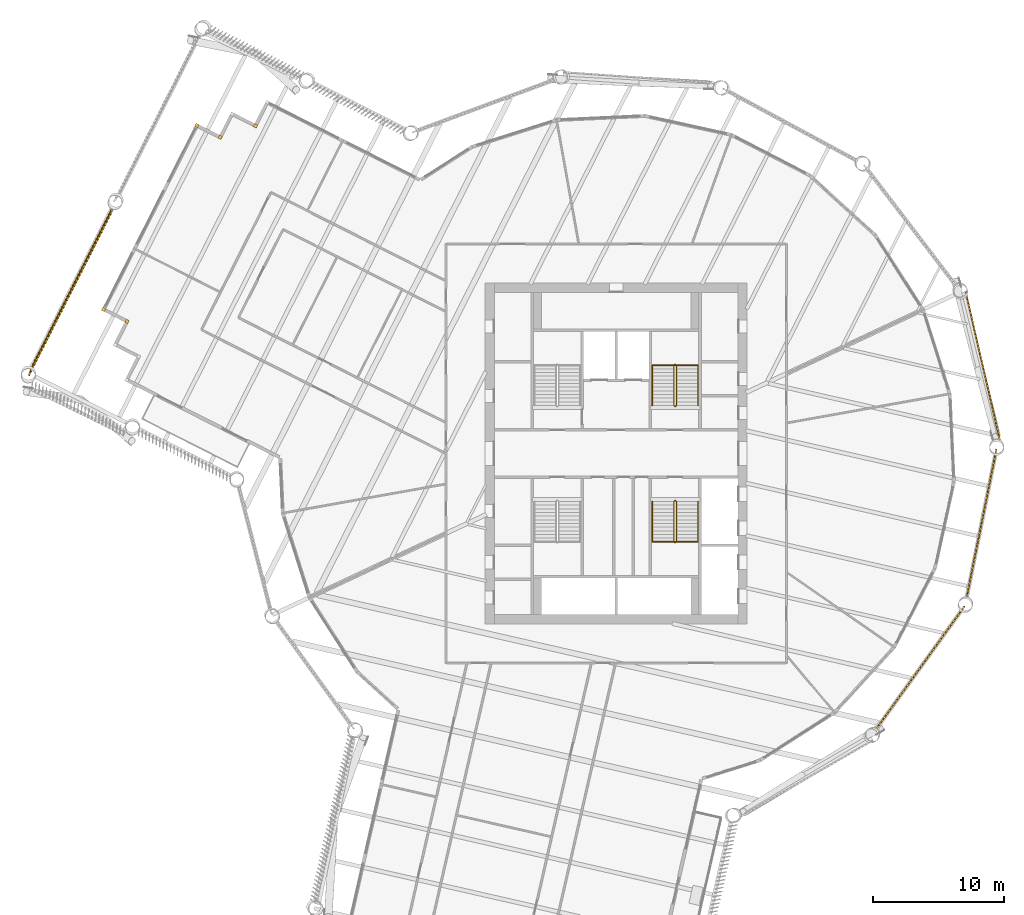
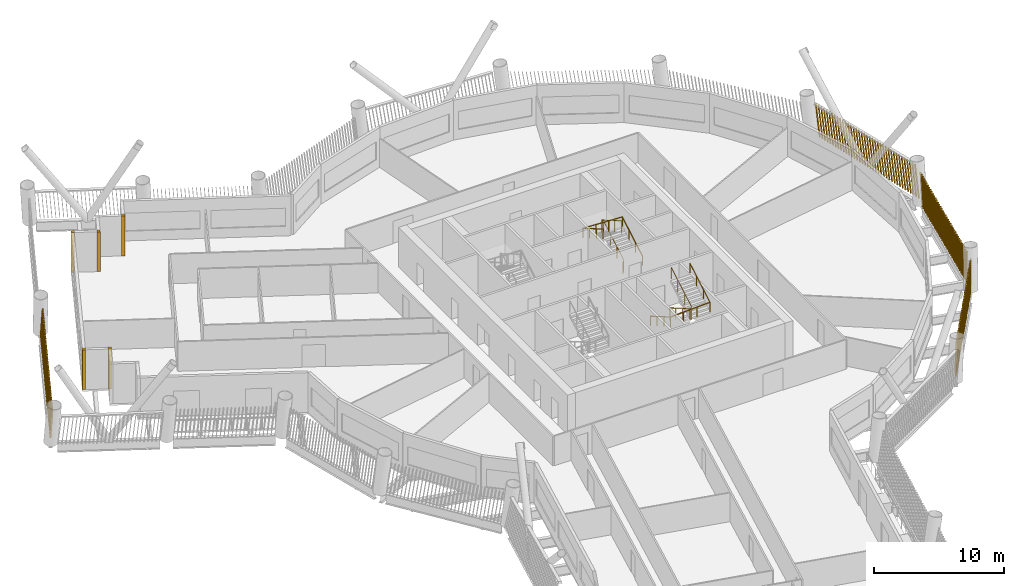
# One storey, part 19 of 21: 9 shading devices, 4 railings.
"""IFC4 building model written with IfcOpenShell, lengths in metres."""

from ifc_helpers import new_model, si_unit, direction, frame, frame_2d, origin, origin_2d, place, context, subcontext, project, spatial, rectangle, circle, composite_profile, extrude, material, type_object, element, save


model = new_model("IFC4")

# Units and contexts
model_context = context("Model", 3, precision=1e-05, world=origin(), true_north=direction((0.0, 1.0)))
body_context = subcontext(model_context, "Body", "Model", "MODEL_VIEW")
ifc_project = project(units=[si_unit("LENGTHUNIT", "METRE"), si_unit("AREAUNIT", "SQUARE_METRE"), si_unit("VOLUMEUNIT", "CUBIC_METRE"), si_unit("PLANEANGLEUNIT", "RADIAN"), si_unit("MASSUNIT", "GRAM", prefix="KILO")], contexts=[model_context])

# Site, building, storey
site_placement = place(None, origin())
site = spatial("IfcSite", under=ifc_project, at=site_placement, CompositionType="ELEMENT")
building_placement = place(site_placement, origin())
building = spatial("IfcBuilding", under=site, at=building_placement, Name="Tarsis Ring Headquarters", CompositionType="ELEMENT")
storey_placement = place(building_placement, frame((0.0, 0.0, 171.0)))
storey = spatial("IfcBuildingStorey", under=building, at=storey_placement, Name="L39", CompositionType="ELEMENT", Elevation=171.0)

# Railings
ifc_material_1 = material(Name="Steel S355", Category="steel")
railing_type_1 = type_object("IfcRailingType", Name="Core stair guard 1100", PredefinedType="GUARDRAIL", material=ifc_material_1)
railing_1_placement = place(storey_placement, frame((4.4599609375, 3.610107421875, 0.0)))
element("IfcRailing", 1, at=railing_1_placement, inside=storey, type_object=railing_type_1, Name="L39 ST2 stair guard 1", PredefinedType="GUARDRAIL", context=body_context, shape_type="SweptSolid", body=[
    extrude(circle(Radius=0.02392578125, at=origin_2d()), frame((0.0, 0.0, 1.076171875), z_axis=(1.0, 0.0, 0.0), x_axis=(0.0, 1.0, 0.0)), (0.0, 0.0, 1.0), 0.080078125),
    extrude(circle(Radius=0.02392578125, at=origin_2d()), frame((0.080078125, 0.0, 1.076171875), z_axis=(0.282336740067, 0.280959487676, 0.917250092119), x_axis=(-0.705375805398, 0.708833529934, 0.0)), (0.0, 0.0, 1.0), 0.17724609375),
    extrude(circle(Radius=0.02392578125, at=origin_2d()), frame((0.130126953125, 0.0498046875, 1.23876953125), z_axis=(0.0, 0.864920483161, 0.501908913857), x_axis=(-1.0, 0.0, 0.0)), (0.0, 0.0, 1.0), 3.56103515625),
    extrude(circle(Radius=0.02392578125, at=origin_2d()), frame((0.130126953125, 3.1298828125, 3.02587890625), z_axis=(-0.707106781187, 0.707106781187, 0.0), x_axis=(-0.707106781187, -0.707106781187, 0.0)), (0.0, 0.0, 1.0), 0.07080078125),
    extrude(circle(Radius=0.02392578125, at=origin_2d()), frame((0.080078125, 3.179931640625, 3.02587890625), z_axis=(-1.0, 0.0, 0.0), x_axis=(0.0, -1.0, 0.0)), (0.0, 0.0, 1.0), 0.080078125),
    extrude(circle(Radius=0.02392578125, at=origin_2d()), frame((0.0, 3.179931640625, 3.02587890625), z_axis=(-0.282227285176, -0.282227285176, 0.916894497205), x_axis=(0.707106781187, -0.707106781187, 0.0)), (0.0, 0.0, 1.0), 0.17724609375),
    extrude(circle(Radius=0.02392578125, at=origin_2d()), frame((-0.050048828125, 3.1298828125, 3.1884765625), z_axis=(0.0, -0.864920483161, 0.501908913857), x_axis=(1.0, 0.0, 0.0)), (0.0, 0.0, 1.0), 3.56103515625),
    extrude(circle(Radius=0.02099609375, at=origin_2d()), origin(), (0.0, 0.0, 1.0), 1.052001953125),
    extrude(circle(Radius=0.02099609375, at=origin_2d()), frame((0.080078125, 0.0, 0.0)), (0.0, 0.0, 1.0), 1.052001953125),
    extrude(circle(Radius=0.02099609375, at=origin_2d()), frame((0.130126953125, 0.0498046875, 0.16259765625)), (0.0, 0.0, 1.0), 1.052001953125),
    extrude(circle(Radius=0.02099609375, at=origin_2d()), frame((0.130126953125, 1.076416015625, 0.75830078125)), (0.0, 0.0, 1.0), 1.052001953125),
    extrude(circle(Radius=0.02099609375, at=origin_2d()), frame((0.130126953125, 2.103271484375, 1.354248046875)), (0.0, 0.0, 1.0), 1.052001953125),
    extrude(circle(Radius=0.02099609375, at=origin_2d()), frame((0.130126953125, 3.1298828125, 1.949951171875)), (0.0, 0.0, 1.0), 1.052001953125),
    extrude(circle(Radius=0.02099609375, at=origin_2d()), frame((0.080078125, 3.179931640625, 1.949951171875)), (0.0, 0.0, 1.0), 1.052001953125),
    extrude(circle(Radius=0.02099609375, at=origin_2d()), frame((0.0, 3.179931640625, 1.949951171875)), (0.0, 0.0, 1.0), 1.052001953125),
    extrude(circle(Radius=0.02099609375, at=origin_2d()), frame((-0.050048828125, 3.1298828125, 2.112548828125)), (0.0, 0.0, 1.0), 1.052001953125),
    extrude(circle(Radius=0.02099609375, at=origin_2d()), frame((-0.050048828125, 2.103271484375, 2.708251953125)), (0.0, 0.0, 1.0), 1.052001953125),
    extrude(circle(Radius=0.02099609375, at=origin_2d()), frame((-0.050048828125, 1.076416015625, 3.30419921875)), (0.0, 0.0, 1.0), 1.052001953125),
    extrude(circle(Radius=0.02099609375, at=origin_2d()), frame((-0.050048828125, 0.0498046875, 3.89990234375)), (0.0, 0.0, 1.0), 1.052001953125),
])
railing_2_placement = place(storey_placement, frame((4.5400390625, -3.610107421875, 0.0)))
element("IfcRailing", 2, at=railing_2_placement, inside=storey, type_object=railing_type_1, Name="L39 ST4 stair guard 1", PredefinedType="GUARDRAIL", context=body_context, shape_type="SweptSolid", body=[
    extrude(circle(Radius=0.02392578125, at=origin_2d()), frame((0.0, 0.0, 1.076171875), z_axis=(-1.0, 0.0, 0.0), x_axis=(0.0, -1.0, 0.0)), (0.0, 0.0, 1.0), 0.080078125),
    extrude(circle(Radius=0.02392578125, at=origin_2d()), frame((-0.080078125, 0.0, 1.076171875), z_axis=(-0.282336740067, -0.280959487676, 0.917250092119), x_axis=(0.705375805398, -0.708833529934, 0.0)), (0.0, 0.0, 1.0), 0.17724609375),
    extrude(circle(Radius=0.02392578125, at=origin_2d()), frame((-0.130126953125, -0.0498046875, 1.23876953125), z_axis=(0.0, -0.864920483161, 0.501908913857), x_axis=(1.0, 0.0, 0.0)), (0.0, 0.0, 1.0), 3.56103515625),
    extrude(circle(Radius=0.02392578125, at=origin_2d()), frame((-0.130126953125, -3.1298828125, 3.02587890625), z_axis=(0.707106781187, -0.707106781187, 0.0), x_axis=(0.707106781187, 0.707106781187, 0.0)), (0.0, 0.0, 1.0), 0.07080078125),
    extrude(circle(Radius=0.02392578125, at=origin_2d()), frame((-0.080078125, -3.179931640625, 3.02587890625), z_axis=(1.0, 0.0, 0.0), x_axis=(0.0, 1.0, 0.0)), (0.0, 0.0, 1.0), 0.080078125),
    extrude(circle(Radius=0.02392578125, at=origin_2d()), frame((0.0, -3.179931640625, 3.02587890625), z_axis=(0.282227285176, 0.282227285176, 0.916894497205), x_axis=(-0.707106781187, 0.707106781187, 0.0)), (0.0, 0.0, 1.0), 0.17724609375),
    extrude(circle(Radius=0.02392578125, at=origin_2d()), frame((0.050048828125, -3.1298828125, 3.1884765625), z_axis=(0.0, 0.864920483161, 0.501908913857), x_axis=(-1.0, 0.0, 0.0)), (0.0, 0.0, 1.0), 3.56103515625),
    extrude(circle(Radius=0.02099609375, at=origin_2d()), origin(), (0.0, 0.0, 1.0), 1.052001953125),
    extrude(circle(Radius=0.02099609375, at=origin_2d()), frame((-0.080078125, 0.0, 0.0)), (0.0, 0.0, 1.0), 1.052001953125),
    extrude(circle(Radius=0.02099609375, at=origin_2d()), frame((-0.130126953125, -0.0498046875, 0.16259765625)), (0.0, 0.0, 1.0), 1.052001953125),
    extrude(circle(Radius=0.02099609375, at=origin_2d()), frame((-0.130126953125, -1.076416015625, 0.75830078125)), (0.0, 0.0, 1.0), 1.052001953125),
    extrude(circle(Radius=0.02099609375, at=origin_2d()), frame((-0.130126953125, -2.103271484375, 1.354248046875)), (0.0, 0.0, 1.0), 1.052001953125),
    extrude(circle(Radius=0.02099609375, at=origin_2d()), frame((-0.130126953125, -3.1298828125, 1.949951171875)), (0.0, 0.0, 1.0), 1.052001953125),
    extrude(circle(Radius=0.02099609375, at=origin_2d()), frame((-0.080078125, -3.179931640625, 1.949951171875)), (0.0, 0.0, 1.0), 1.052001953125),
    extrude(circle(Radius=0.02099609375, at=origin_2d()), frame((0.0, -3.179931640625, 1.949951171875)), (0.0, 0.0, 1.0), 1.052001953125),
    extrude(circle(Radius=0.02099609375, at=origin_2d()), frame((0.050048828125, -3.1298828125, 2.112548828125)), (0.0, 0.0, 1.0), 1.052001953125),
    extrude(circle(Radius=0.02099609375, at=origin_2d()), frame((0.050048828125, -2.103271484375, 2.708251953125)), (0.0, 0.0, 1.0), 1.052001953125),
    extrude(circle(Radius=0.02099609375, at=origin_2d()), frame((0.050048828125, -1.076416015625, 3.30419921875)), (0.0, 0.0, 1.0), 1.052001953125),
    extrude(circle(Radius=0.02099609375, at=origin_2d()), frame((0.050048828125, -0.0498046875, 3.89990234375)), (0.0, 0.0, 1.0), 1.052001953125),
])
railing_type_2 = type_object("IfcRailingType", Name="Core stair handrail 900", PredefinedType="HANDRAIL", material=ifc_material_1)
railing_3_placement = place(storey_placement, frame((6.25, 3.659912109375, 0.16259765625)))
element("IfcRailing", 3, at=railing_3_placement, inside=storey, type_object=railing_type_2, Name="L39 ST2 stair handrail 1", PredefinedType="HANDRAIL", context=body_context, shape_type="SweptSolid", body=[
    extrude(circle(Radius=0.02392578125, at=origin_2d()), frame((0.0, 0.0, 0.8759765625), z_axis=(0.0, 0.864920483161, 0.501908913857), x_axis=(-1.0, 0.0, 0.0)), (0.0, 0.0, 1.0), 3.56103515625),
    extrude(circle(Radius=0.02392578125, at=origin_2d()), frame((0.0, 3.080078125, 2.6630859375), z_axis=(-0.998922641604, 0.0, 0.046406422943), x_axis=(0.0, -1.0, 0.0)), (0.0, 0.0, 1.0), 3.503662109375),
    extrude(circle(Radius=0.02392578125, at=origin_2d()), frame((-3.5, 3.080078125, 2.82568359375), z_axis=(0.0, -0.864920483161, 0.501908913857), x_axis=(1.0, 0.0, 0.0)), (0.0, 0.0, 1.0), 3.56103515625),
    extrude(circle(Radius=0.02099609375, at=origin_2d()), origin(), (0.0, 0.0, 1.0), 0.851806640625),
    extrude(circle(Radius=0.02099609375, at=origin_2d()), frame((0.0, 1.026611328125, 0.595703125)), (0.0, 0.0, 1.0), 0.851806640625),
    extrude(circle(Radius=0.02099609375, at=origin_2d()), frame((0.0, 2.053466796875, 1.191650390625)), (0.0, 0.0, 1.0), 0.851806640625),
    extrude(circle(Radius=0.02099609375, at=origin_2d()), frame((0.0, 3.080078125, 1.787353515625)), (0.0, 0.0, 1.0), 0.851806640625),
    extrude(circle(Radius=0.02099609375, at=origin_2d()), frame((-1.166748046875, 3.080078125, 1.841552734375)), (0.0, 0.0, 1.0), 0.851806640625),
    extrude(circle(Radius=0.02099609375, at=origin_2d()), frame((-2.333251953125, 3.080078125, 1.895751953125)), (0.0, 0.0, 1.0), 0.851806640625),
    extrude(circle(Radius=0.02099609375, at=origin_2d()), frame((-3.5, 3.080078125, 1.949951171875)), (0.0, 0.0, 1.0), 0.851806640625),
    extrude(circle(Radius=0.02099609375, at=origin_2d()), frame((-3.5, 2.053466796875, 2.545654296875)), (0.0, 0.0, 1.0), 0.851806640625),
    extrude(circle(Radius=0.02099609375, at=origin_2d()), frame((-3.5, 1.026611328125, 3.1416015625)), (0.0, 0.0, 1.0), 0.851806640625),
    extrude(circle(Radius=0.02099609375, at=origin_2d()), frame((-3.5, 0.0, 3.7373046875)), (0.0, 0.0, 1.0), 0.851806640625),
])
railing_4_placement = place(storey_placement, frame((2.75, -3.659912109375, 0.16259765625)))
element("IfcRailing", 4, at=railing_4_placement, inside=storey, type_object=railing_type_2, Name="L39 ST4 stair handrail 1", PredefinedType="HANDRAIL", context=body_context, shape_type="SweptSolid", body=[
    extrude(circle(Radius=0.02392578125, at=origin_2d()), frame((0.0, 0.0, 0.8759765625), z_axis=(0.0, -0.864920483161, 0.501908913857), x_axis=(1.0, 0.0, 0.0)), (0.0, 0.0, 1.0), 3.56103515625),
    extrude(circle(Radius=0.02392578125, at=origin_2d()), frame((0.0, -3.080078125, 2.6630859375), z_axis=(0.998922641604, 0.0, 0.046406422943), x_axis=(0.0, 1.0, 0.0)), (0.0, 0.0, 1.0), 3.503662109375),
    extrude(circle(Radius=0.02392578125, at=origin_2d()), frame((3.5, -3.080078125, 2.82568359375), z_axis=(0.0, 0.864920483161, 0.501908913857), x_axis=(-1.0, 0.0, 0.0)), (0.0, 0.0, 1.0), 3.56103515625),
    extrude(circle(Radius=0.02099609375, at=origin_2d()), origin(), (0.0, 0.0, 1.0), 0.851806640625),
    extrude(circle(Radius=0.02099609375, at=origin_2d()), frame((0.0, -1.026611328125, 0.595703125)), (0.0, 0.0, 1.0), 0.851806640625),
    extrude(circle(Radius=0.02099609375, at=origin_2d()), frame((0.0, -2.053466796875, 1.191650390625)), (0.0, 0.0, 1.0), 0.851806640625),
    extrude(circle(Radius=0.02099609375, at=origin_2d()), frame((0.0, -3.080078125, 1.787353515625)), (0.0, 0.0, 1.0), 0.851806640625),
    extrude(circle(Radius=0.02099609375, at=origin_2d()), frame((1.166748046875, -3.080078125, 1.841552734375)), (0.0, 0.0, 1.0), 0.851806640625),
    extrude(circle(Radius=0.02099609375, at=origin_2d()), frame((2.333251953125, -3.080078125, 1.895751953125)), (0.0, 0.0, 1.0), 0.851806640625),
    extrude(circle(Radius=0.02099609375, at=origin_2d()), frame((3.5, -3.080078125, 1.949951171875)), (0.0, 0.0, 1.0), 0.851806640625),
    extrude(circle(Radius=0.02099609375, at=origin_2d()), frame((3.5, -2.053466796875, 2.545654296875)), (0.0, 0.0, 1.0), 0.851806640625),
    extrude(circle(Radius=0.02099609375, at=origin_2d()), frame((3.5, -1.026611328125, 3.1416015625)), (0.0, 0.0, 1.0), 0.851806640625),
    extrude(circle(Radius=0.02099609375, at=origin_2d()), frame((3.5, 0.0, 3.7373046875)), (0.0, 0.0, 1.0), 0.851806640625),
])

# Shading devices
ifc_material_2 = material(Name="Terracotta baguette", Category="masonry")
shading_device_type_1 = type_object("IfcShadingDeviceType", Name="Terracotta baguette screen", PredefinedType="USERDEFINED", material=ifc_material_2)
shading_device_1_placement = place(storey_placement, frame((19.771484375, -21.14306640625, 0.0), z_axis=(0.0, 0.0, 1.0), x_axis=(0.583765599566, 0.811915355399, 0.0)))
element("IfcShadingDevice", 5, at=shading_device_1_placement, inside=storey, type_object=shading_device_type_1, Name="Baguette screen L39-08", ObjectType="Terracotta baguette screen", PredefinedType="USERDEFINED", context=body_context, shape_type="SweptSolid", body=[
    extrude(composite_profile([rectangle(XDim=0.06005859375, YDim=0.1201171875, at=frame_2d((0.030029296875, 0.0))), rectangle(XDim=0.06005859375, YDim=0.1201171875, at=frame_2d((0.33251953125, 0.0))), rectangle(XDim=0.06005859375, YDim=0.1201171875, at=frame_2d((0.634765625, 0.0))), rectangle(XDim=0.06005859375, YDim=0.1201171875, at=frame_2d((0.937255859375, 0.0))), rectangle(XDim=0.06005859375, YDim=0.1201171875, at=frame_2d((1.239501953125, 0.0))), rectangle(XDim=0.06005859375, YDim=0.1201171875, at=frame_2d((1.5419921875, 0.0))), rectangle(XDim=0.06005859375, YDim=0.1201171875, at=frame_2d((1.844482421875, 0.0))), rectangle(XDim=0.06005859375, YDim=0.1201171875, at=frame_2d((2.146728515625, 0.0))), rectangle(XDim=0.06005859375, YDim=0.1201171875, at=frame_2d((2.44921875, 0.0))), rectangle(XDim=0.06005859375, YDim=0.1201171875, at=frame_2d((2.751708984375, 0.0))), rectangle(XDim=0.06005859375, YDim=0.1201171875, at=frame_2d((3.053955078125, 0.0))), rectangle(XDim=0.06005859375, YDim=0.1201171875, at=frame_2d((3.3564453125, 0.0))), rectangle(XDim=0.06005859375, YDim=0.1201171875, at=frame_2d((3.65869140625, 0.0))), rectangle(XDim=0.06005859375, YDim=0.1201171875, at=frame_2d((3.961181640625, 0.0))), rectangle(XDim=0.06005859375, YDim=0.1201171875, at=frame_2d((4.263671875, 0.0))), rectangle(XDim=0.06005859375, YDim=0.1201171875, at=frame_2d((4.56591796875, 0.0))), rectangle(XDim=0.06005859375, YDim=0.1201171875, at=frame_2d((4.868408203125, 0.0))), rectangle(XDim=0.06005859375, YDim=0.1201171875, at=frame_2d((5.1708984375, 0.0))), rectangle(XDim=0.06005859375, YDim=0.1201171875, at=frame_2d((5.47314453125, 0.0))), rectangle(XDim=0.06005859375, YDim=0.1201171875, at=frame_2d((5.775634765625, 0.0))), rectangle(XDim=0.06005859375, YDim=0.1201171875, at=frame_2d((6.077880859375, 0.0))), rectangle(XDim=0.06005859375, YDim=0.1201171875, at=frame_2d((6.38037109375, 0.0))), rectangle(XDim=0.06005859375, YDim=0.1201171875, at=frame_2d((6.682861328125, 0.0))), rectangle(XDim=0.06005859375, YDim=0.1201171875, at=frame_2d((6.985107421875, 0.0))), rectangle(XDim=0.06005859375, YDim=0.1201171875, at=frame_2d((7.28759765625, 0.0))), rectangle(XDim=0.06005859375, YDim=0.1201171875, at=frame_2d((7.590087890625, 0.0))), rectangle(XDim=0.06005859375, YDim=0.1201171875, at=frame_2d((7.892333984375, 0.0))), rectangle(XDim=0.06005859375, YDim=0.1201171875, at=frame_2d((8.19482421875, 0.0))), rectangle(XDim=0.06005859375, YDim=0.1201171875, at=frame_2d((8.4970703125, 0.0))), rectangle(XDim=0.06005859375, YDim=0.1201171875, at=frame_2d((8.799560546875, 0.0))), rectangle(XDim=0.06005859375, YDim=0.1201171875, at=frame_2d((9.10205078125, 0.0))), rectangle(XDim=0.06005859375, YDim=0.1201171875, at=frame_2d((9.404296875, 0.0))), rectangle(XDim=0.06005859375, YDim=0.1201171875, at=frame_2d((9.706787109375, 0.0))), rectangle(XDim=0.06005859375, YDim=0.1201171875, at=frame_2d((10.00927734375, 0.0))), rectangle(XDim=0.06005859375, YDim=0.1201171875, at=frame_2d((10.3115234375, 0.0))), rectangle(XDim=0.06005859375, YDim=0.1201171875, at=frame_2d((10.614013671875, 0.0))), rectangle(XDim=0.06005859375, YDim=0.1201171875, at=frame_2d((10.916259765625, 0.0))), rectangle(XDim=0.06005859375, YDim=0.1201171875, at=frame_2d((11.21875, 0.0)))]), origin(), (0.149494965527, 0.001173763324, 0.9887617901), 2.9833984375),
])
shading_device_2_placement = place(storey_placement, frame((26.728759765625, -11.11376953125, 0.0), z_axis=(0.0, 0.0, 1.0), x_axis=(0.197200217037, 0.980358111774, 0.0)))
element("IfcShadingDevice", 6, at=shading_device_2_placement, inside=storey, type_object=shading_device_type_1, Name="Baguette screen L39-09", ObjectType="Terracotta baguette screen", PredefinedType="USERDEFINED", context=body_context, shape_type="SweptSolid", body=[
    extrude(composite_profile([rectangle(XDim=0.06005859375, YDim=0.1201171875, at=frame_2d((0.030029296875, 0.0))), rectangle(XDim=0.06005859375, YDim=0.1201171875, at=frame_2d((0.33251953125, 0.0))), rectangle(XDim=0.06005859375, YDim=0.1201171875, at=frame_2d((0.634765625, 0.0))), rectangle(XDim=0.06005859375, YDim=0.1201171875, at=frame_2d((0.937255859375, 0.0))), rectangle(XDim=0.06005859375, YDim=0.1201171875, at=frame_2d((1.239501953125, 0.0))), rectangle(XDim=0.06005859375, YDim=0.1201171875, at=frame_2d((1.5419921875, 0.0))), rectangle(XDim=0.06005859375, YDim=0.1201171875, at=frame_2d((1.844482421875, 0.0))), rectangle(XDim=0.06005859375, YDim=0.1201171875, at=frame_2d((2.146728515625, 0.0))), rectangle(XDim=0.06005859375, YDim=0.1201171875, at=frame_2d((2.44921875, 0.0))), rectangle(XDim=0.06005859375, YDim=0.1201171875, at=frame_2d((2.751708984375, 0.0))), rectangle(XDim=0.06005859375, YDim=0.1201171875, at=frame_2d((3.053955078125, 0.0))), rectangle(XDim=0.06005859375, YDim=0.1201171875, at=frame_2d((3.3564453125, 0.0))), rectangle(XDim=0.06005859375, YDim=0.1201171875, at=frame_2d((3.65869140625, 0.0))), rectangle(XDim=0.06005859375, YDim=0.1201171875, at=frame_2d((3.961181640625, 0.0))), rectangle(XDim=0.06005859375, YDim=0.1201171875, at=frame_2d((4.263671875, 0.0))), rectangle(XDim=0.06005859375, YDim=0.1201171875, at=frame_2d((4.56591796875, 0.0))), rectangle(XDim=0.06005859375, YDim=0.1201171875, at=frame_2d((4.868408203125, 0.0))), rectangle(XDim=0.06005859375, YDim=0.1201171875, at=frame_2d((5.1708984375, 0.0))), rectangle(XDim=0.06005859375, YDim=0.1201171875, at=frame_2d((5.47314453125, 0.0))), rectangle(XDim=0.06005859375, YDim=0.1201171875, at=frame_2d((5.775634765625, 0.0))), rectangle(XDim=0.06005859375, YDim=0.1201171875, at=frame_2d((6.077880859375, 0.0))), rectangle(XDim=0.06005859375, YDim=0.1201171875, at=frame_2d((6.38037109375, 0.0))), rectangle(XDim=0.06005859375, YDim=0.1201171875, at=frame_2d((6.682861328125, 0.0))), rectangle(XDim=0.06005859375, YDim=0.1201171875, at=frame_2d((6.985107421875, 0.0))), rectangle(XDim=0.06005859375, YDim=0.1201171875, at=frame_2d((7.28759765625, 0.0))), rectangle(XDim=0.06005859375, YDim=0.1201171875, at=frame_2d((7.590087890625, 0.0))), rectangle(XDim=0.06005859375, YDim=0.1201171875, at=frame_2d((7.892333984375, 0.0))), rectangle(XDim=0.06005859375, YDim=0.1201171875, at=frame_2d((8.19482421875, 0.0))), rectangle(XDim=0.06005859375, YDim=0.1201171875, at=frame_2d((8.4970703125, 0.0))), rectangle(XDim=0.06005859375, YDim=0.1201171875, at=frame_2d((8.799560546875, 0.0))), rectangle(XDim=0.06005859375, YDim=0.1201171875, at=frame_2d((9.10205078125, 0.0))), rectangle(XDim=0.06005859375, YDim=0.1201171875, at=frame_2d((9.404296875, 0.0))), rectangle(XDim=0.06005859375, YDim=0.1201171875, at=frame_2d((9.706787109375, 0.0))), rectangle(XDim=0.06005859375, YDim=0.1201171875, at=frame_2d((10.00927734375, 0.0))), rectangle(XDim=0.06005859375, YDim=0.1201171875, at=frame_2d((10.3115234375, 0.0))), rectangle(XDim=0.06005859375, YDim=0.1201171875, at=frame_2d((10.614013671875, 0.0))), rectangle(XDim=0.06005859375, YDim=0.1201171875, at=frame_2d((10.916259765625, 0.0))), rectangle(XDim=0.06005859375, YDim=0.1201171875, at=frame_2d((11.21875, 0.0)))]), origin(), (0.149495202987, 0.001173142007, 0.988761754935), 2.9833984375),
])
shading_device_3_placement = place(storey_placement, frame((29.298828125, 0.975830078125, 0.0), z_axis=(0.0, 0.0, 1.0), x_axis=(-0.224416711883, 0.974498100922, 0.0)))
element("IfcShadingDevice", 7, at=shading_device_3_placement, inside=storey, type_object=shading_device_type_1, Name="Baguette screen L39-10", ObjectType="Terracotta baguette screen", PredefinedType="USERDEFINED", context=body_context, shape_type="SweptSolid", body=[
    extrude(composite_profile([rectangle(XDim=0.06005859375, YDim=0.1201171875, at=frame_2d((0.030029296875, 0.0))), rectangle(XDim=0.06005859375, YDim=0.1201171875, at=frame_2d((0.33251953125, 0.0))), rectangle(XDim=0.06005859375, YDim=0.1201171875, at=frame_2d((0.634765625, 0.0))), rectangle(XDim=0.06005859375, YDim=0.1201171875, at=frame_2d((0.937255859375, 0.0))), rectangle(XDim=0.06005859375, YDim=0.1201171875, at=frame_2d((1.239501953125, 0.0))), rectangle(XDim=0.06005859375, YDim=0.1201171875, at=frame_2d((1.5419921875, 0.0))), rectangle(XDim=0.06005859375, YDim=0.1201171875, at=frame_2d((1.844482421875, 0.0))), rectangle(XDim=0.06005859375, YDim=0.1201171875, at=frame_2d((2.146728515625, 0.0))), rectangle(XDim=0.06005859375, YDim=0.1201171875, at=frame_2d((2.44921875, 0.0))), rectangle(XDim=0.06005859375, YDim=0.1201171875, at=frame_2d((2.751708984375, 0.0))), rectangle(XDim=0.06005859375, YDim=0.1201171875, at=frame_2d((3.053955078125, 0.0))), rectangle(XDim=0.06005859375, YDim=0.1201171875, at=frame_2d((3.3564453125, 0.0))), rectangle(XDim=0.06005859375, YDim=0.1201171875, at=frame_2d((3.65869140625, 0.0))), rectangle(XDim=0.06005859375, YDim=0.1201171875, at=frame_2d((3.961181640625, 0.0))), rectangle(XDim=0.06005859375, YDim=0.1201171875, at=frame_2d((4.263671875, 0.0))), rectangle(XDim=0.06005859375, YDim=0.1201171875, at=frame_2d((4.56591796875, 0.0))), rectangle(XDim=0.06005859375, YDim=0.1201171875, at=frame_2d((4.868408203125, 0.0))), rectangle(XDim=0.06005859375, YDim=0.1201171875, at=frame_2d((5.1708984375, 0.0))), rectangle(XDim=0.06005859375, YDim=0.1201171875, at=frame_2d((5.47314453125, 0.0))), rectangle(XDim=0.06005859375, YDim=0.1201171875, at=frame_2d((5.775634765625, 0.0))), rectangle(XDim=0.06005859375, YDim=0.1201171875, at=frame_2d((6.077880859375, 0.0))), rectangle(XDim=0.06005859375, YDim=0.1201171875, at=frame_2d((6.38037109375, 0.0))), rectangle(XDim=0.06005859375, YDim=0.1201171875, at=frame_2d((6.682861328125, 0.0))), rectangle(XDim=0.06005859375, YDim=0.1201171875, at=frame_2d((6.985107421875, 0.0))), rectangle(XDim=0.06005859375, YDim=0.1201171875, at=frame_2d((7.28759765625, 0.0))), rectangle(XDim=0.06005859375, YDim=0.1201171875, at=frame_2d((7.590087890625, 0.0))), rectangle(XDim=0.06005859375, YDim=0.1201171875, at=frame_2d((7.892333984375, 0.0))), rectangle(XDim=0.06005859375, YDim=0.1201171875, at=frame_2d((8.19482421875, 0.0))), rectangle(XDim=0.06005859375, YDim=0.1201171875, at=frame_2d((8.4970703125, 0.0))), rectangle(XDim=0.06005859375, YDim=0.1201171875, at=frame_2d((8.799560546875, 0.0))), rectangle(XDim=0.06005859375, YDim=0.1201171875, at=frame_2d((9.10205078125, 0.0))), rectangle(XDim=0.06005859375, YDim=0.1201171875, at=frame_2d((9.404296875, 0.0))), rectangle(XDim=0.06005859375, YDim=0.1201171875, at=frame_2d((9.706787109375, 0.0))), rectangle(XDim=0.06005859375, YDim=0.1201171875, at=frame_2d((10.00927734375, 0.0))), rectangle(XDim=0.06005859375, YDim=0.1201171875, at=frame_2d((10.3115234375, 0.0))), rectangle(XDim=0.06005859375, YDim=0.1201171875, at=frame_2d((10.614013671875, 0.0))), rectangle(XDim=0.06005859375, YDim=0.1201171875, at=frame_2d((10.916259765625, 0.0))), rectangle(XDim=0.06005859375, YDim=0.1201171875, at=frame_2d((11.21875, 0.0)))]), origin(), (0.151425960472, 0.001189948241, 0.988467886437), 2.984375),
])
shading_device_4_placement = place(storey_placement, frame((-38.408447265625, 18.8916015625, 0.0), z_axis=(0.0, 0.0, 1.0), x_axis=(-0.451800088456, -0.892118531623, 0.0)))
element("IfcShadingDevice", 8, at=shading_device_4_placement, inside=storey, type_object=shading_device_type_1, Name="Baguette screen L39-18", ObjectType="Terracotta baguette screen", PredefinedType="USERDEFINED", context=body_context, shape_type="SweptSolid", body=[
    extrude(composite_profile([rectangle(XDim=0.06005859375, YDim=0.1201171875, at=frame_2d((0.030029296875, 0.0))), rectangle(XDim=0.06005859375, YDim=0.1201171875, at=frame_2d((0.33544921875, 0.0))), rectangle(XDim=0.06005859375, YDim=0.1201171875, at=frame_2d((0.640625, 0.0))), rectangle(XDim=0.06005859375, YDim=0.1201171875, at=frame_2d((0.946044921875, 0.0))), rectangle(XDim=0.06005859375, YDim=0.1201171875, at=frame_2d((1.25146484375, 0.0))), rectangle(XDim=0.06005859375, YDim=0.1201171875, at=frame_2d((1.556640625, 0.0))), rectangle(XDim=0.06005859375, YDim=0.1201171875, at=frame_2d((1.862060546875, 0.0))), rectangle(XDim=0.06005859375, YDim=0.1201171875, at=frame_2d((2.16748046875, 0.0))), rectangle(XDim=0.06005859375, YDim=0.1201171875, at=frame_2d((2.47265625, 0.0))), rectangle(XDim=0.06005859375, YDim=0.1201171875, at=frame_2d((2.778076171875, 0.0))), rectangle(XDim=0.06005859375, YDim=0.1201171875, at=frame_2d((3.08349609375, 0.0))), rectangle(XDim=0.06005859375, YDim=0.1201171875, at=frame_2d((3.388671875, 0.0))), rectangle(XDim=0.06005859375, YDim=0.1201171875, at=frame_2d((3.694091796875, 0.0))), rectangle(XDim=0.06005859375, YDim=0.1201171875, at=frame_2d((3.99951171875, 0.0))), rectangle(XDim=0.06005859375, YDim=0.1201171875, at=frame_2d((4.3046875, 0.0))), rectangle(XDim=0.06005859375, YDim=0.1201171875, at=frame_2d((4.610107421875, 0.0))), rectangle(XDim=0.06005859375, YDim=0.1201171875, at=frame_2d((4.91552734375, 0.0))), rectangle(XDim=0.06005859375, YDim=0.1201171875, at=frame_2d((5.220703125, 0.0))), rectangle(XDim=0.06005859375, YDim=0.1201171875, at=frame_2d((5.526123046875, 0.0))), rectangle(XDim=0.06005859375, YDim=0.1201171875, at=frame_2d((5.83154296875, 0.0))), rectangle(XDim=0.06005859375, YDim=0.1201171875, at=frame_2d((6.13671875, 0.0))), rectangle(XDim=0.06005859375, YDim=0.1201171875, at=frame_2d((6.442138671875, 0.0))), rectangle(XDim=0.06005859375, YDim=0.1201171875, at=frame_2d((6.74755859375, 0.0))), rectangle(XDim=0.06005859375, YDim=0.1201171875, at=frame_2d((7.052734375, 0.0))), rectangle(XDim=0.06005859375, YDim=0.1201171875, at=frame_2d((7.358154296875, 0.0))), rectangle(XDim=0.06005859375, YDim=0.1201171875, at=frame_2d((7.66357421875, 0.0))), rectangle(XDim=0.06005859375, YDim=0.1201171875, at=frame_2d((7.96875, 0.0))), rectangle(XDim=0.06005859375, YDim=0.1201171875, at=frame_2d((8.274169921875, 0.0))), rectangle(XDim=0.06005859375, YDim=0.1201171875, at=frame_2d((8.57958984375, 0.0))), rectangle(XDim=0.06005859375, YDim=0.1201171875, at=frame_2d((8.884765625, 0.0))), rectangle(XDim=0.06005859375, YDim=0.1201171875, at=frame_2d((9.190185546875, 0.0))), rectangle(XDim=0.06005859375, YDim=0.1201171875, at=frame_2d((9.49560546875, 0.0))), rectangle(XDim=0.06005859375, YDim=0.1201171875, at=frame_2d((9.80078125, 0.0))), rectangle(XDim=0.06005859375, YDim=0.1201171875, at=frame_2d((10.106201171875, 0.0))), rectangle(XDim=0.06005859375, YDim=0.1201171875, at=frame_2d((10.41162109375, 0.0))), rectangle(XDim=0.06005859375, YDim=0.1201171875, at=frame_2d((10.716796875, 0.0))), rectangle(XDim=0.06005859375, YDim=0.1201171875, at=frame_2d((11.022216796875, 0.0))), rectangle(XDim=0.06005859375, YDim=0.1201171875, at=frame_2d((11.32763671875, 0.0))), rectangle(XDim=0.06005859375, YDim=0.1201171875, at=frame_2d((11.6328125, 0.0))), rectangle(XDim=0.06005859375, YDim=0.1201171875, at=frame_2d((11.938232421875, 0.0))), rectangle(XDim=0.06005859375, YDim=0.1201171875, at=frame_2d((12.24365234375, 0.0))), rectangle(XDim=0.06005859375, YDim=0.1201171875, at=frame_2d((12.548828125, 0.0))), rectangle(XDim=0.06005859375, YDim=0.1201171875, at=frame_2d((12.854248046875, 0.0))), rectangle(XDim=0.06005859375, YDim=0.1201171875, at=frame_2d((13.15966796875, 0.0))), rectangle(XDim=0.06005859375, YDim=0.1201171875, at=frame_2d((13.46484375, 0.0))), rectangle(XDim=0.06005859375, YDim=0.1201171875, at=frame_2d((13.770263671875, 0.0)))]), origin(), (0.221731144102, 0.040129856724, 0.974281732526), 3.02783203125),
])
shading_device_type_2 = type_object("IfcShadingDeviceType", Name="Terracotta corner baguette 250x250", PredefinedType="USERDEFINED", material=ifc_material_2)
for number, where, z_axis, x_axis, name in (
    (9, (-27.54296875, 25.018310546875, 0.0), (0.0, 0.0, 1.0), (-0.45181247409, -0.892112934699, 0.0), "Corner baguette L39-33"),
    (10, (-30.230712890625, 24.1376953125, 0.0), (0.0, 0.0, 1.0), (-0.451811680004, -0.892113336865, 0.0), "Corner baguette L39-35"),
    (11, (-32.014892578125, 25.04150390625, 0.0), (0.0, 0.0, 1.0), (-0.892113037212, 0.451812271676, 0.0), "Corner baguette L39-36"),
    (12, (-39.131103515625, 10.99072265625, 0.0), (0.0, 0.0, 1.0), (-0.45181199141, -0.892113179153, 0.0), "Corner baguette L39-37"),
    (13, (-37.346923828125, 10.0869140625, 0.0), (0.0, 0.0, 1.0), (0.892113139725, -0.451812069262, 0.0), "Corner baguette L39-38"),
):
    element("IfcShadingDevice", number, at=place(storey_placement, frame(where, z_axis=z_axis, x_axis=x_axis)), inside=storey, type_object=shading_device_type_2, Name=name, ObjectType="Terracotta corner baguette", PredefinedType="USERDEFINED", context=body_context, shape_type="SweptSolid", body=[
        extrude(rectangle(XDim=0.25, YDim=0.25, at=origin_2d()), origin(), (0.0, 0.0, 1.0), 3.739990234375),
    ])

save(model, "model.ifc")
